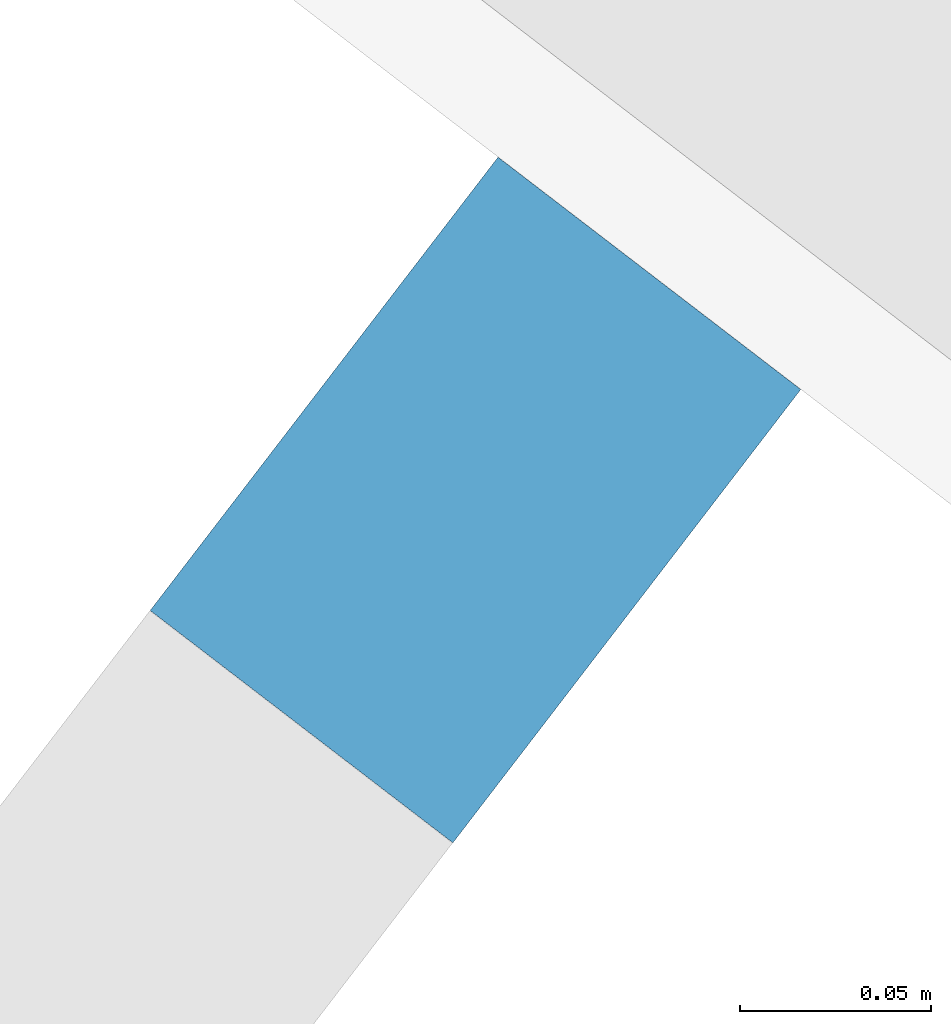
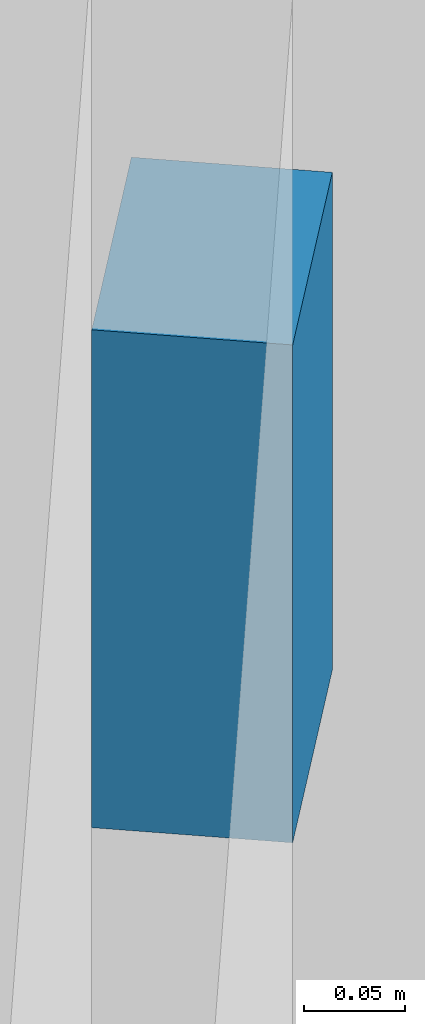
# One storey, part 9 of 28: 1 discrete accessory.
"""IFC4 building model written with IfcOpenShell, lengths in metres."""

from ifc_helpers import new_model, si_unit, direction, frame, origin, origin_2d, place, context, subcontext, project, spatial, rectangle, extrude, material, type_object, element, save


model = new_model("IFC4")

# Units and contexts
model_context = context("Model", 3, precision=1e-05, world=origin(), true_north=direction((0.0, 1.0)))
body_context = subcontext(model_context, "Body", "Model", "MODEL_VIEW")
ifc_project = project(units=[si_unit("LENGTHUNIT", "METRE"), si_unit("AREAUNIT", "SQUARE_METRE"), si_unit("VOLUMEUNIT", "CUBIC_METRE"), si_unit("PLANEANGLEUNIT", "RADIAN"), si_unit("MASSUNIT", "GRAM", prefix="KILO")], contexts=[model_context])

# Site, building, storey
site_placement = place(None, origin())
site = spatial("IfcSite", under=ifc_project, at=site_placement, CompositionType="ELEMENT")
building_placement = place(site_placement, origin())
building = spatial("IfcBuilding", under=site, at=building_placement, Name="Qamariyya Broadcast Tower", CompositionType="ELEMENT")
storey_placement = place(building_placement, frame((0.0, 0.0, 273.300048828125)))
storey = spatial("IfcBuildingStorey", under=building, at=storey_placement, Name="L66", CompositionType="ELEMENT", Elevation=273.300048828125)

# Discrete accessory
ifc_material = material(Name="Stainless steel 316", Category="steel")
discrete_accessory_type = type_object("IfcDiscreteAccessoryType", Name="Slab edge fixing angle, stainless steel", PredefinedType="BRACKET", material=ifc_material)
discrete_accessory_placement = place(storey_placement, frame((-50.68896484375, -59.74609375, 3.2998046875), z_axis=(0.0, 0.0, 1.0), x_axis=(0.793353340291, -0.608761429009, 0.0)))
element("IfcDiscreteAccessory", 1, at=discrete_accessory_placement, inside=storey, type_object=discrete_accessory_type, Name="e-br-L66-02-0", PredefinedType="BRACKET", context=body_context, shape_type="SweptSolid", body=[
    extrude(rectangle(XDim=0.10009765625, YDim=0.14990234375, at=origin_2d()), origin(), (0.0, 0.0, 1.0), 0.300048828125),
])

save(model, "model.ifc")
